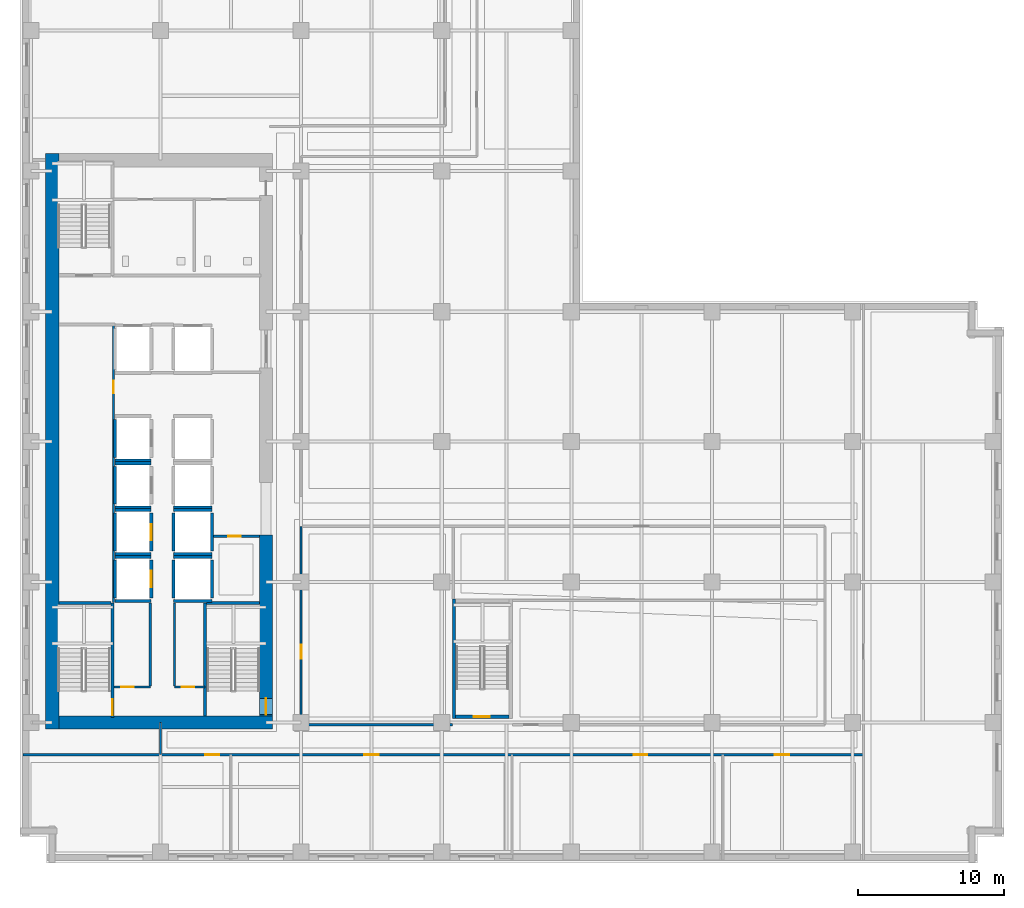
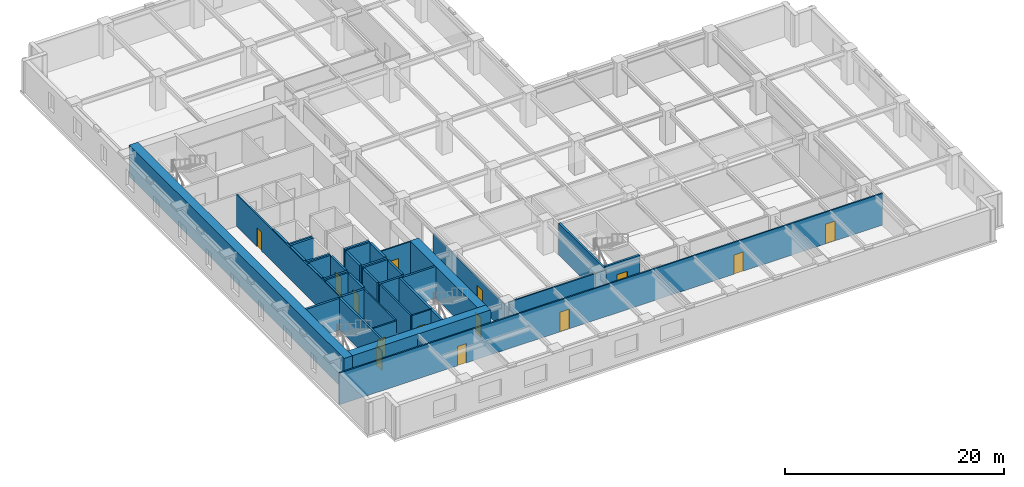
# One storey, part 4 of 13: 41 walls, 14 doors, 14 openings.
"""IFC4 building model written with IfcOpenShell, lengths in metres."""

import ifcopenshell
import ifcopenshell.guid

model = None  # the IFC model being written
_history = None  # IfcOwnerHistory: only IFC2X3 demands one
_inside = {}  # id of a spatial element -> (the spatial element, [elements in it])
_under = {}  # id of a project, library or spatial element -> (it, [spatial elements below it])
_declared = {}  # id of a project -> (the project, [libraries it declares])
_typed = {}  # id of a type object -> (the type object, [elements of that type])
_made_of = {}  # id of a material, layer set ... -> (it, [elements and type objects made of it])


def new_model(schema):
    """Start an empty IFC model of exactly this schema.

    Asked for "IFC4X3", IfcOpenShell would pick the latest addendum, in which some entities
    have other attributes; the version numbers below select the first issue.
    IFC2X3 requires an IfcOwnerHistory on every rooted entity: one is made here for all.
    """
    global model, _history
    if schema == "IFC4X3":
        model = ifcopenshell.file(schema_version=(4, 3, 0, 0))
    else:
        model = ifcopenshell.file(schema=schema)
    _inside.clear()
    _under.clear()
    _declared.clear()
    _typed.clear()
    _made_of.clear()
    _history = None
    if model.schema == "IFC2X3":
        org = make("IfcOrganization", Name="unknown")
        user = make(
            "IfcPersonAndOrganization",
            ThePerson=make("IfcPerson", FamilyName="unknown"),
            TheOrganization=org,
        )
        app = make(
            "IfcApplication",
            ApplicationDeveloper=org,
            Version="unknown",
            ApplicationFullName="unknown",
            ApplicationIdentifier="unknown",
        )
        _history = make(
            "IfcOwnerHistory",
            OwningUser=user,
            OwningApplication=app,
            ChangeAction="ADDED",
            CreationDate=0,
        )
    return model


def make(cls, **values):
    """One entity of the class cls with the attributes given. An attribute that is None is left unset."""
    return model.create_entity(
        cls, **{name: value for name, value in values.items() if value is not None}
    )


def rooted(cls, **values):
    """An entity with a GlobalId (a new one), such as an element, a storey or a relation."""
    return make(cls, GlobalId=ifcopenshell.guid.new(), OwnerHistory=_history, **values)


def si_unit(unit_type, name, prefix=None):
    """IfcSIUnit, for example si_unit("LENGTHUNIT", "METRE", prefix="MILLI")."""
    return make("IfcSIUnit", UnitType=unit_type, Prefix=prefix, Name=name)


def assignment(units):
    """IfcUnitAssignment: the units of a project."""
    return None if units is None else make("IfcUnitAssignment", Units=units)


def point(xyz):
    """IfcCartesianPoint."""
    return None if xyz is None else make("IfcCartesianPoint", Coordinates=xyz)


def direction(xyz):
    """IfcDirection."""
    return None if xyz is None else make("IfcDirection", DirectionRatios=xyz)


def frame(location, z_axis=None, x_axis=None):
    """IfcAxis2Placement3D, a coordinate frame: its origin and axes. An axis left out is left unset."""
    return make(
        "IfcAxis2Placement3D",
        Location=point(location),
        Axis=direction(z_axis),
        RefDirection=direction(x_axis),
    )


def frame_2d(location, x_axis=None):
    """IfcAxis2Placement2D, a coordinate frame in the plane: its origin and x axis."""
    return make(
        "IfcAxis2Placement2D", Location=point(location), RefDirection=direction(x_axis)
    )


def origin():
    """The frame at (0, 0, 0) with its axes left unset."""
    return frame((0.0, 0.0, 0.0))


def place(relative_to, where):
    """IfcLocalPlacement: puts the frame where relative to a parent placement (None: the world)."""
    return make(
        "IfcLocalPlacement", PlacementRelTo=relative_to, RelativePlacement=where
    )


def context(
    kind, dimensions, precision=None, world=None, true_north=None, identifier=None
):
    """IfcGeometricRepresentationContext, for example the 3D "Model" context."""
    return make(
        "IfcGeometricRepresentationContext",
        ContextIdentifier=identifier,
        ContextType=kind,
        CoordinateSpaceDimension=dimensions,
        Precision=precision,
        WorldCoordinateSystem=world,
        TrueNorth=true_north,
    )


def subcontext(parent, identifier, kind, view, scale=None):
    """IfcGeometricRepresentationSubContext, for example "Body" below "Model"."""
    return make(
        "IfcGeometricRepresentationSubContext",
        ContextIdentifier=identifier,
        ContextType=kind,
        ParentContext=parent,
        TargetScale=scale,
        TargetView=view,
    )


def project(units=None, contexts=None):
    """IfcProject with its units and contexts."""
    return rooted(
        "IfcProject",
        Name="project",
        RepresentationContexts=contexts,
        UnitsInContext=assignment(units),
    )


def spatial(cls, under=None, at=None, **own):
    """A site, building, storey or space (cls), placed at a placement, below another one or the project."""
    s = rooted(cls, ObjectPlacement=at, **own)
    if under is not None:
        _under.setdefault(under.id(), (under, []))[1].append(s)
    return s


def profile(cls, at=None, kind="AREA", **sizes):
    """A parametric profile (cls). Its sizes go by their IFC names, for example OverallWidth=200.0."""
    return make(cls, ProfileType=kind, Position=at, **sizes)


def rectangle(**sizes):
    """IfcRectangleProfileDef."""
    return profile("IfcRectangleProfileDef", **sizes)


def extrude(swept, where, along, depth):
    """IfcExtrudedAreaSolid: the profile swept, set in the frame where, extruded along a direction by depth."""
    return make(
        "IfcExtrudedAreaSolid",
        SweptArea=swept,
        Position=where,
        ExtrudedDirection=direction(along),
        Depth=depth,
    )


def shape(context_of_items, identifier, shape_type, items):
    """IfcShapeRepresentation: the items that make up one representation, for example the "Body"."""
    return make(
        "IfcShapeRepresentation",
        ContextOfItems=context_of_items,
        RepresentationIdentifier=identifier,
        RepresentationType=shape_type,
        Items=items,
    )


def material(Name=None, Category=None):
    """IfcMaterial."""
    return make("IfcMaterial", Name=Name, Category=Category)


def layer(
    of_material, thickness, ventilated=None, Name=None, Category=None, Priority=None
):
    """IfcMaterialLayer: one layer of a wall or slab, of a material (None: an air gap)."""
    return make(
        "IfcMaterialLayer",
        Material=of_material,
        LayerThickness=thickness,
        IsVentilated=ventilated,
        Name=Name,
        Category=Category,
        Priority=Priority,
    )


def layer_set(layers, Name=None):
    """IfcMaterialLayerSet."""
    return make("IfcMaterialLayerSet", MaterialLayers=layers, LayerSetName=Name)


def made_of(thing, what):
    """Note that an element or type object is made of a material, layer set ...; save() writes the relation."""
    if what is not None:
        _made_of.setdefault(what.id(), (what, []))[1].append(thing)
    return thing


def type_object(cls, material=None, **own):
    """A type object (cls), such as IfcWallType, which elements share."""
    return made_of(rooted(cls, **own), material)


def element(
    cls,
    number,
    at=None,
    inside=None,
    cuts=None,
    type_object=None,
    material=None,
    context=None,
    identifier="Body",
    shape_type=None,
    held_by="IfcProductDefinitionShape",
    body=None,
    shapes=None,
    **own,
):
    """One element of the class cls, such as IfcWall. Its Tag is "e" and its number.

    at: its placement. inside: the storey or other place that contains it. cuts: it is an
    opening in that element (IfcRelVoidsElement). A single representation is given by context,
    identifier, shape_type and body (its items); several are given by shapes. held_by: the class
    of the entity that holds the representations. save() writes the other relations.
    """
    e = rooted(cls, Tag="e%d" % number, ObjectPlacement=at, **own)
    if body is not None:
        shapes = [shape(context, identifier, shape_type, body)]
    if shapes is not None:
        e.Representation = make(held_by, Representations=shapes)
    if inside is not None:
        _inside.setdefault(inside.id(), (inside, []))[1].append(e)
    if cuts is not None:
        rooted(
            "IfcRelVoidsElement", RelatingBuildingElement=cuts, RelatedOpeningElement=e
        )
    if type_object is not None:
        _typed.setdefault(type_object.id(), (type_object, []))[1].append(e)
    return made_of(e, material)


def fill(opening, filler):
    """IfcRelFillsElement: the door or window that sits in an opening."""
    return rooted(
        "IfcRelFillsElement",
        RelatingOpeningElement=opening,
        RelatedBuildingElement=filler,
    )


def aggregate(whole, parts):
    """IfcRelAggregates: a whole, such as a stair, and the parts it consists of."""
    return rooted("IfcRelAggregates", RelatingObject=whole, RelatedObjects=parts)


def save(model, path):
    """Write the relations noted so far, then the file.

    IfcRelAggregates (storeys below a building ...), IfcRelContainedInSpatialStructure (elements
    in a storey), IfcRelDefinesByType, IfcRelAssociatesMaterial and IfcRelDeclares: one each for
    every whole, place, type object, material and project.
    """
    for whole, parts in _under.values():
        aggregate(whole, parts)
    for where, things in _inside.values():
        rooted(
            "IfcRelContainedInSpatialStructure",
            RelatedElements=things,
            RelatingStructure=where,
        )
    for kind, things in _typed.values():
        rooted("IfcRelDefinesByType", RelatedObjects=things, RelatingType=kind)
    for what, things in _made_of.values():
        rooted("IfcRelAssociatesMaterial", RelatedObjects=things, RelatingMaterial=what)
    for by, libraries in _declared.values():
        rooted("IfcRelDeclares", RelatingContext=by, RelatedDefinitions=libraries)
    model.write(path)


model = new_model("IFC4")

# Units and contexts
model_context = context("Model", 3, precision=1e-05, world=origin(), true_north=direction((0.0, 1.0)))
body_context = subcontext(model_context, "Body", "Model", "MODEL_VIEW")
ifc_project = project(units=[si_unit("LENGTHUNIT", "METRE"), si_unit("AREAUNIT", "SQUARE_METRE"), si_unit("VOLUMEUNIT", "CUBIC_METRE"), si_unit("PLANEANGLEUNIT", "RADIAN"), si_unit("MASSUNIT", "GRAM", prefix="KILO")], contexts=[model_context])

# Site, building, storey
site_placement = place(None, origin())
site = spatial("IfcSite", under=ifc_project, at=site_placement, CompositionType="ELEMENT")
building_placement = place(site_placement, origin())
building = spatial("IfcBuilding", under=site, at=building_placement, Name="Norrvale University Quadrangle", CompositionType="ELEMENT")
storey_placement = place(building_placement, frame((0.0, 0.0, 77.39990234375)))
storey = spatial("IfcBuildingStorey", under=building, at=storey_placement, Name="L19", CompositionType="ELEMENT", Elevation=77.39990234375)

# Walls
ifc_material_1 = material(Name="Concrete C80/95", Category="concrete")
ifc_layer_1 = layer(ifc_material_1, 0.89990234375, Name="Concrete C80/95")
ifc_layer_set_1 = layer_set([ifc_layer_1], Name="Concrete C80/95")
wall_type_1 = type_object("IfcWallType", Name="Wall Core 900", PredefinedType="SHEAR", material=ifc_layer_set_1)
wall_1_placement = place(storey_placement, frame((2.64990234375, 9.60009765625, 0.0), z_axis=(0.0, 0.0, 1.0), x_axis=(1.0, 0.0, 0.0)))
element("IfcWall", 1, at=wall_1_placement, inside=storey, type_object=wall_type_1, Name="Tower Core Shear Wall L19-S", PredefinedType="SHEAR", context=body_context, shape_type="SweptSolid", body=[
    extrude(rectangle(XDim=14.60009765625, YDim=0.89990234375, at=frame_2d((7.300048828125, 0.0))), origin(), (0.0, 0.0, 1.0), 3.5400390625),
])
wall_2_placement = place(storey_placement, frame((2.199951171875, 9.14990234375, 0.0), z_axis=(0.0, 0.0, 1.0), x_axis=(0.0, 1.0, 0.0)))
element("IfcWall", 2, at=wall_2_placement, inside=storey, type_object=wall_type_1, Name="Tower Core Shear Wall L19-W", PredefinedType="SHEAR", context=body_context, shape_type="SweptSolid", body=[
    extrude(rectangle(XDim=39.300048828125, YDim=0.89990234375, at=frame_2d((19.64990234375, 0.0))), origin(), (0.0, 0.0, 1.0), 3.5400390625),
])

# Wall, opening, door
wall_3_placement = place(storey_placement, frame((16.800048828125, 10.050048828125, 0.0), z_axis=(0.0, 0.0, 1.0), x_axis=(0.0, 1.0, 0.0)))
wall_3 = element("IfcWall", 3, at=wall_3_placement, inside=storey, type_object=wall_type_1, Name="Tower Core Shear Wall L19-E1", PredefinedType="SHEAR", context=body_context, shape_type="SweptSolid", body=[
    extrude(rectangle(XDim=12.349853515625, YDim=0.89990234375, at=frame_2d((6.1748046875, 0.0))), origin(), (0.0, 0.0, 1.0), 3.5400390625),
])
opening_1_placement = place(wall_3_placement, frame((0.090087890625, 0.0, 0.0)))
opening_1 = element("IfcOpeningElement", 4, at=opening_1_placement, cuts=wall_3, Name="Opening D02", PredefinedType="OPENING", context=body_context, shape_type="SweptSolid", body=[
    extrude(rectangle(XDim=1.10009765625, YDim=2.199951171875, at=frame_2d((0.550048828125, 1.10009765625))), frame((0.0, 0.4619140625, 0.0), z_axis=(0.0, -1.0, 0.0), x_axis=(1.0, 0.0, 0.0)), (0.0, 0.0, 1.0), 0.923828125),
])
ifc_material_2 = material(Name="Hollow Steel 350W Fire Door", Category="steel")
door_type_1 = type_object("IfcDoorType", Name="Door Stair Exit 1100x2200", OperationType="NOTDEFINED", PredefinedType="DOOR", material=ifc_material_2)
door_1_placement = place(opening_1_placement, origin())
door_1 = element("IfcDoor", 5, at=door_1_placement, inside=storey, type_object=door_type_1, Name="Door Stair Exit 1100x2200 DR-L19-ST03", OperationType="SINGLE_SWING_LEFT", OverallHeight=2.199951171875, OverallWidth=1.10009765625, PredefinedType="DOOR", context=body_context, shape_type="SweptSolid", body=[
    extrude(rectangle(XDim=1.10009765625, YDim=2.199951171875, at=frame_2d((0.550048828125, 1.10009765625))), frame((0.0, 0.02490234375, 0.0), z_axis=(0.0, -1.0, 0.0), x_axis=(1.0, 0.0, 0.0)), (0.0, 0.0, 1.0), 0.050048828125),
])
fill(opening_1, door_1)

ifc_material_3 = material(Name="Fire-Rated Gypsum Stud Partition")
ifc_layer_2 = layer(ifc_material_3, 0.14990234375, Name="Fire-Rated Gypsum Stud Partition")
ifc_layer_set_2 = layer_set([ifc_layer_2], Name="Fire-Rated Gypsum Stud Partition")
wall_type_2 = type_object("IfcWallType", Name="Wall Gypsum Corridor 150", PredefinedType="PARTITIONING", material=ifc_layer_set_2)
wall_4_placement = place(storey_placement, frame((6.419921875, 12.02001953125, 0.0), z_axis=(0.0, 0.0, 1.0), x_axis=(1.0, 0.0, 0.0)))
wall_4 = element("IfcWall", 6, at=wall_4_placement, inside=storey, type_object=wall_type_2, Name="Interior Partition WL-L19-SC-NL", PredefinedType="PARTITIONING", context=body_context, shape_type="SweptSolid", body=[
    extrude(rectangle(XDim=2.47998046875, YDim=0.14990234375, at=frame_2d((1.239990234375, 0.0))), origin(), (0.0, 0.0, 1.0), 3.5400390625),
])
opening_2_placement = place(wall_4_placement, frame((0.5, 0.0, 0.0)))
opening_2 = element("IfcOpeningElement", 7, at=opening_2_placement, cuts=wall_4, Name="Opening D10", PredefinedType="OPENING", context=body_context, shape_type="SweptSolid", body=[
    extrude(rectangle(XDim=0.85009765625, YDim=2.10009765625, at=frame_2d((0.425048828125, 1.050048828125))), frame((0.0, 0.0869140625, 0.0), z_axis=(0.0, -1.0, 0.0), x_axis=(1.0, 0.0, 0.0)), (0.0, 0.0, 1.0), 0.173828125),
])
ifc_material_4 = material(Name="Hollow Steel 350W Riser Fire Door", Category="steel")
door_type_2 = type_object("IfcDoorType", Name="Door Riser 850x2100", OperationType="NOTDEFINED", PredefinedType="DOOR", material=ifc_material_4)
door_2_placement = place(opening_2_placement, origin())
door_2 = element("IfcDoor", 8, at=door_2_placement, inside=storey, type_object=door_type_2, Name="Door Riser 850x2100 DR-L19-ELEC", OperationType="SINGLE_SWING_LEFT", OverallHeight=2.10009765625, OverallWidth=0.85009765625, PredefinedType="DOOR", context=body_context, shape_type="SweptSolid", body=[
    extrude(rectangle(XDim=0.85009765625, YDim=2.10009765625, at=frame_2d((0.425048828125, 1.050048828125))), frame((0.0, 0.02490234375, 0.0), z_axis=(0.0, -1.0, 0.0), x_axis=(1.0, 0.0, 0.0)), (0.0, 0.0, 1.0), 0.050048828125),
])
fill(opening_2, door_2)

wall_5_placement = place(storey_placement, frame((10.550048828125, 12.02001953125, 0.0), z_axis=(0.0, 0.0, 1.0), x_axis=(1.0, 0.0, 0.0)))
wall_5 = element("IfcWall", 9, at=wall_5_placement, inside=storey, type_object=wall_type_2, Name="Interior Partition WL-L19-SC-NR", PredefinedType="PARTITIONING", context=body_context, shape_type="SweptSolid", body=[
    extrude(rectangle(XDim=2.079833984375, YDim=0.14990234375, at=frame_2d((1.0400390625, 0.0))), origin(), (0.0, 0.0, 1.0), 3.5400390625),
])
opening_3_placement = place(wall_5_placement, frame((0.5, 0.0, 0.0)))
opening_3 = element("IfcOpeningElement", 10, at=opening_3_placement, cuts=wall_5, Name="Opening D10", PredefinedType="OPENING", context=body_context, shape_type="SweptSolid", body=[
    extrude(rectangle(XDim=0.85009765625, YDim=2.10009765625, at=frame_2d((0.425048828125, 1.050048828125))), frame((0.0, 0.0869140625, 0.0), z_axis=(0.0, -1.0, 0.0), x_axis=(1.0, 0.0, 0.0)), (0.0, 0.0, 1.0), 0.173828125),
])
door_3_placement = place(opening_3_placement, origin())
door_3 = element("IfcDoor", 11, at=door_3_placement, inside=storey, type_object=door_type_2, Name="Door Riser 850x2100 DR-L19-IDF", OperationType="SINGLE_SWING_RIGHT", OverallHeight=2.10009765625, OverallWidth=0.85009765625, PredefinedType="DOOR", context=body_context, shape_type="SweptSolid", body=[
    extrude(rectangle(XDim=0.85009765625, YDim=2.10009765625, at=frame_2d((0.425048828125, 1.050048828125))), frame((0.0, 0.02490234375, 0.0), z_axis=(0.0, -1.0, 0.0), x_axis=(1.0, 0.0, 0.0)), (0.0, 0.0, 1.0), 0.050048828125),
])
fill(opening_3, door_3)

# Walls
for number, where, z_axis, x_axis, name in (
    (12, (8.89990234375, 12.094970703125, 0.0), (0.0, 0.0, 1.0), (0.0, 1.0, 0.0), "Interior Partition WL-L19-SC-WL"),
    (13, (10.550048828125, 12.094970703125, 0.0), (0.0, 0.0, 1.0), (0.0, 1.0, 0.0), "Interior Partition WL-L19-SC-WR"),
):
    element("IfcWall", number, at=place(storey_placement, frame(where, z_axis=z_axis, x_axis=x_axis)), inside=storey, type_object=wall_type_2, Name=name, PredefinedType="PARTITIONING", context=body_context, shape_type="SweptSolid", body=[
        extrude(rectangle(XDim=5.679931640625, YDim=0.14990234375, at=frame_2d((2.83984375, 0.0))), origin(), (0.0, 0.0, 1.0), 3.5400390625),
    ])

# Wall, opening, door
wall_6_placement = place(storey_placement, frame((13.22509765625, 22.320068359375, 0.0), z_axis=(0.0, 0.0, 1.0), x_axis=(1.0, 0.0, 0.0)))
wall_6 = element("IfcWall", 14, at=wall_6_placement, inside=storey, type_object=wall_type_2, Name="Interior Partition WL-L19-JAN-N", PredefinedType="PARTITIONING", context=body_context, shape_type="SweptSolid", body=[
    extrude(rectangle(XDim=3.119873046875, YDim=0.14990234375, at=frame_2d((1.56005859375, 0.0))), origin(), (0.0, 0.0, 1.0), 3.5400390625),
])
opening_4_placement = place(wall_6_placement, frame((1.0, 0.0, 0.0)))
opening_4 = element("IfcOpeningElement", 15, at=opening_4_placement, cuts=wall_6, Name="Opening D10", PredefinedType="OPENING", context=body_context, shape_type="SweptSolid", body=[
    extrude(rectangle(XDim=0.85009765625, YDim=2.10009765625, at=frame_2d((0.425048828125, 1.050048828125))), frame((0.0, 0.0869140625, 0.0), z_axis=(0.0, -1.0, 0.0), x_axis=(1.0, 0.0, 0.0)), (0.0, 0.0, 1.0), 0.173828125),
])
door_4_placement = place(opening_4_placement, origin())
door_4 = element("IfcDoor", 16, at=door_4_placement, inside=storey, type_object=door_type_2, Name="Door Riser 850x2100 DR-L19-JAN", OperationType="SINGLE_SWING_LEFT", OverallHeight=2.10009765625, OverallWidth=0.85009765625, PredefinedType="DOOR", context=body_context, shape_type="SweptSolid", body=[
    extrude(rectangle(XDim=0.85009765625, YDim=2.10009765625, at=frame_2d((0.425048828125, 1.050048828125))), frame((0.0, 0.02490234375, 0.0), z_axis=(0.0, -1.0, 0.0), x_axis=(1.0, 0.0, 0.0)), (0.0, 0.0, 1.0), 0.050048828125),
])
fill(opening_4, door_4)

wall_7_placement = place(storey_placement, frame((6.3798828125, 17.800048828125, 0.0), z_axis=(0.0, 0.0, 1.0), x_axis=(0.0, 1.0, 0.0)))
wall_7 = element("IfcWall", 17, at=wall_7_placement, inside=storey, type_object=wall_type_2, Name="Interior Partition WL-L19-WME-E", PredefinedType="PARTITIONING", context=body_context, shape_type="SweptSolid", body=[
    extrude(rectangle(XDim=18.97998046875, YDim=0.14990234375, at=frame_2d((9.489990234375, 0.0))), origin(), (0.0, 0.0, 1.0), 3.5400390625),
])
opening_5_placement = place(wall_7_placement, frame((14.300048828125, 0.0, 0.0)))
opening_5 = element("IfcOpeningElement", 18, at=opening_5_placement, cuts=wall_7, Name="Opening D10", PredefinedType="OPENING", context=body_context, shape_type="SweptSolid", body=[
    extrude(rectangle(XDim=0.85009765625, YDim=2.10009765625, at=frame_2d((0.425048828125, 1.050048828125))), frame((0.0, 0.0869140625, 0.0), z_axis=(0.0, -1.0, 0.0), x_axis=(1.0, 0.0, 0.0)), (0.0, 0.0, 1.0), 0.173828125),
])
door_5_placement = place(opening_5_placement, origin())
door_5 = element("IfcDoor", 19, at=door_5_placement, inside=storey, type_object=door_type_2, Name="Door Riser 850x2100 DR-L19-WME", OperationType="SINGLE_SWING_LEFT", OverallHeight=2.10009765625, OverallWidth=0.85009765625, PredefinedType="DOOR", context=body_context, shape_type="SweptSolid", body=[
    extrude(rectangle(XDim=0.85009765625, YDim=2.10009765625, at=frame_2d((0.425048828125, 1.050048828125))), frame((0.0, 0.02490234375, 0.0), z_axis=(0.0, -1.0, 0.0), x_axis=(1.0, 0.0, 0.0)), (0.0, 0.0, 1.0), 0.050048828125),
])
fill(opening_5, door_5)

# Wall
wall_8_placement = place(storey_placement, frame((9.60009765625, 7.39990234375, 0.0), z_axis=(0.0, 0.0, 1.0), x_axis=(0.0, 1.0, 0.0)))
element("IfcWall", 20, at=wall_8_placement, inside=storey, type_object=wall_type_2, Name="Interior Partition WL-L19-CSW-END", PredefinedType="PARTITIONING", context=body_context, shape_type="SweptSolid", body=[
    extrude(rectangle(XDim=2.2001953125, YDim=0.14990234375, at=frame_2d((1.10009765625, 0.0))), origin(), (0.0, 0.0, 1.0), 2.99609375),
])

# Wall, openings, doors
wall_9_placement = place(storey_placement, frame((0.219970703125, 7.39990234375, 0.0), z_axis=(0.0, 0.0, 1.0), x_axis=(1.0, 0.0, 0.0)))
wall_9 = element("IfcWall", 21, at=wall_9_placement, inside=storey, type_object=wall_type_2, Name="Interior Partition WL-L19-SCW", PredefinedType="PARTITIONING", context=body_context, shape_type="SweptSolid", body=[
    extrude(rectangle(XDim=57.380126953125, YDim=0.14990234375, at=frame_2d((28.68994140625, 0.0))), origin(), (0.0, 0.0, 1.0), 3.5400390625),
])
opening_6_placement = place(wall_9_placement, frame((12.429931640625, 0.0, 0.0)))
opening_6 = element("IfcOpeningElement", 22, at=opening_6_placement, cuts=wall_9, Name="Opening D07", PredefinedType="OPENING", context=body_context, shape_type="SweptSolid", body=[
    extrude(rectangle(XDim=0.949951171875, YDim=2.14990234375, at=frame_2d((0.47509765625, 1.074951171875))), frame((0.0, 0.0869140625, 0.0), z_axis=(0.0, -1.0, 0.0), x_axis=(1.0, 0.0, 0.0)), (0.0, 0.0, 1.0), 0.173828125),
])
opening_7_placement = place(wall_9_placement, frame((23.280029296875, 0.0, 0.0)))
opening_7 = element("IfcOpeningElement", 23, at=opening_7_placement, cuts=wall_9, Name="Opening D04", PredefinedType="OPENING", context=body_context, shape_type="SweptSolid", body=[
    extrude(rectangle(XDim=1.0, YDim=2.199951171875, at=frame_2d((0.5, 1.10009765625))), frame((0.0, 0.0869140625, 0.0), z_axis=(0.0, -1.0, 0.0), x_axis=(1.0, 0.0, 0.0)), (0.0, 0.0, 1.0), 0.173828125),
])
opening_8_placement = place(wall_9_placement, frame((41.679931640625, 0.0, 0.0)))
opening_8 = element("IfcOpeningElement", 24, at=opening_8_placement, cuts=wall_9, Name="Opening D07", PredefinedType="OPENING", context=body_context, shape_type="SweptSolid", body=[
    extrude(rectangle(XDim=0.949951171875, YDim=2.14990234375, at=frame_2d((0.47509765625, 1.074951171875))), frame((0.0, 0.0869140625, 0.0), z_axis=(0.0, -1.0, 0.0), x_axis=(1.0, 0.0, 0.0)), (0.0, 0.0, 1.0), 0.173828125),
])
opening_9_placement = place(wall_9_placement, frame((51.330078125, 0.0, 0.0)))
opening_9 = element("IfcOpeningElement", 25, at=opening_9_placement, cuts=wall_9, Name="Opening D04", PredefinedType="OPENING", context=body_context, shape_type="SweptSolid", body=[
    extrude(rectangle(XDim=1.0, YDim=2.199951171875, at=frame_2d((0.5, 1.10009765625))), frame((0.0, 0.0869140625, 0.0), z_axis=(0.0, -1.0, 0.0), x_axis=(1.0, 0.0, 0.0)), (0.0, 0.0, 1.0), 0.173828125),
])
ifc_material_5 = material(Name="Solid-Core Oak Fire Door", Category="wood")
door_type_3 = type_object("IfcDoorType", Name="Door Corridor 1000x2200", OperationType="NOTDEFINED", PredefinedType="DOOR", material=ifc_material_5)
door_6_placement = place(opening_7_placement, origin())
door_6 = element("IfcDoor", 26, at=door_6_placement, inside=storey, type_object=door_type_3, Name="Door Corridor 1000x2200 DR-L19-S02", OperationType="SINGLE_SWING_RIGHT", OverallHeight=2.199951171875, OverallWidth=1.0, PredefinedType="DOOR", context=body_context, shape_type="SweptSolid", body=[
    extrude(rectangle(XDim=1.0, YDim=2.199951171875, at=frame_2d((0.5, 1.10009765625))), frame((0.0, 0.02490234375, 0.0), z_axis=(0.0, -1.0, 0.0), x_axis=(1.0, 0.0, 0.0)), (0.0, 0.0, 1.0), 0.050048828125),
])
fill(opening_7, door_6)
door_7_placement = place(opening_9_placement, origin())
door_7 = element("IfcDoor", 27, at=door_7_placement, inside=storey, type_object=door_type_3, Name="Door Corridor 1000x2200 DR-L19-S04", OperationType="SINGLE_SWING_RIGHT", OverallHeight=2.199951171875, OverallWidth=1.0, PredefinedType="DOOR", context=body_context, shape_type="SweptSolid", body=[
    extrude(rectangle(XDim=1.0, YDim=2.199951171875, at=frame_2d((0.5, 1.10009765625))), frame((0.0, 0.02490234375, 0.0), z_axis=(0.0, -1.0, 0.0), x_axis=(1.0, 0.0, 0.0)), (0.0, 0.0, 1.0), 0.050048828125),
])
fill(opening_9, door_7)
ifc_material_6 = material(Name="Solid-Core Maple Door", Category="wood")
door_type_4 = type_object("IfcDoorType", Name="Door Office 950x2150", OperationType="NOTDEFINED", PredefinedType="DOOR", material=ifc_material_6)
door_8_placement = place(opening_6_placement, origin())
door_8 = element("IfcDoor", 28, at=door_8_placement, inside=storey, type_object=door_type_4, Name="Door Office 950x2150 DR-L19-S01", OperationType="SINGLE_SWING_LEFT", OverallHeight=2.14990234375, OverallWidth=0.949951171875, PredefinedType="DOOR", context=body_context, shape_type="SweptSolid", body=[
    extrude(rectangle(XDim=0.949951171875, YDim=2.14990234375, at=frame_2d((0.47509765625, 1.074951171875))), frame((0.0, 0.02490234375, 0.0), z_axis=(0.0, -1.0, 0.0), x_axis=(1.0, 0.0, 0.0)), (0.0, 0.0, 1.0), 0.050048828125),
])
fill(opening_6, door_8)
door_9_placement = place(opening_8_placement, origin())
door_9 = element("IfcDoor", 29, at=door_9_placement, inside=storey, type_object=door_type_4, Name="Door Office 950x2150 DR-L19-S03", OperationType="SINGLE_SWING_LEFT", OverallHeight=2.14990234375, OverallWidth=0.949951171875, PredefinedType="DOOR", context=body_context, shape_type="SweptSolid", body=[
    extrude(rectangle(XDim=0.949951171875, YDim=2.14990234375, at=frame_2d((0.47509765625, 1.074951171875))), frame((0.0, 0.02490234375, 0.0), z_axis=(0.0, -1.0, 0.0), x_axis=(1.0, 0.0, 0.0)), (0.0, 0.0, 1.0), 0.050048828125),
])
fill(opening_8, door_9)

# Wall, opening, door
wall_10_placement = place(storey_placement, frame((19.199951171875, 9.449951171875, 0.0), z_axis=(0.0, 0.0, 1.0), x_axis=(0.0, 1.0, 0.0)))
wall_10 = element("IfcWall", 30, at=wall_10_placement, inside=storey, type_object=wall_type_2, Name="Interior Partition WL-L19-ISLW", PredefinedType="PARTITIONING", context=body_context, shape_type="SweptSolid", body=[
    extrude(rectangle(XDim=13.550048828125, YDim=0.14990234375, at=frame_2d((6.77490234375, 0.0))), origin(), (0.0, 0.0, 1.0), 2.99609375),
])
opening_10_placement = place(wall_10_placement, frame((4.5, 0.0, 0.0)))
opening_10 = element("IfcOpeningElement", 31, at=opening_10_placement, cuts=wall_10, Name="Opening D07", PredefinedType="OPENING", context=body_context, shape_type="SweptSolid", body=[
    extrude(rectangle(XDim=0.949951171875, YDim=2.14990234375, at=frame_2d((0.47509765625, 1.074951171875))), frame((0.0, 0.0869140625, 0.0), z_axis=(0.0, -1.0, 0.0), x_axis=(1.0, 0.0, 0.0)), (0.0, 0.0, 1.0), 0.173828125),
])
door_10_placement = place(opening_10_placement, origin())
door_10 = element("IfcDoor", 32, at=door_10_placement, inside=storey, type_object=door_type_4, Name="Door Office 950x2150 DR-L19-IW1", OperationType="SINGLE_SWING_LEFT", OverallHeight=2.14990234375, OverallWidth=0.949951171875, PredefinedType="DOOR", context=body_context, shape_type="SweptSolid", body=[
    extrude(rectangle(XDim=0.949951171875, YDim=2.14990234375, at=frame_2d((0.47509765625, 1.074951171875))), frame((0.0, 0.02490234375, 0.0), z_axis=(0.0, -1.0, 0.0), x_axis=(1.0, 0.0, 0.0)), (0.0, 0.0, 1.0), 0.050048828125),
])
fill(opening_10, door_10)

# Wall
wall_11_placement = place(storey_placement, frame((19.280029296875, 9.449951171875, 0.0), z_axis=(0.0, 0.0, 1.0), x_axis=(1.0, 0.0, 0.0)))
element("IfcWall", 33, at=wall_11_placement, inside=storey, type_object=wall_type_2, Name="Interior Partition WL-L19-ISLS1", PredefinedType="PARTITIONING", context=body_context, shape_type="SweptSolid", body=[
    extrude(rectangle(XDim=10.244873046875, YDim=0.14990234375, at=frame_2d((5.12255859375, 0.0))), origin(), (0.0, 0.0, 1.0), 3.5400390625),
])

# Wall, opening, door
ifc_material_7 = material(Name="Concrete Blockwork 20 MPa Fire Shaft", Category="masonry")
ifc_layer_3 = layer(ifc_material_7, 0.219970703125, Name="Concrete Blockwork 20 MPa Fire Shaft")
ifc_layer_set_3 = layer_set([ifc_layer_3], Name="Concrete Blockwork 20 MPa Fire Shaft")
wall_type_3 = type_object("IfcWallType", Name="Wall Shaft 220", PredefinedType="SOLIDWALL", material=ifc_layer_set_3)
wall_12_placement = place(storey_placement, frame((6.31005859375, 9.949951171875, 0.0), z_axis=(0.0, 0.0, 1.0), x_axis=(0.0, 1.0, 0.0)))
wall_12 = element("IfcWall", 34, at=wall_12_placement, inside=storey, type_object=wall_type_3, Name="Stair ST-01 East Shaft Wall L19", PredefinedType="SOLIDWALL", context=body_context, shape_type="SweptSolid", body=[
    extrude(rectangle(XDim=7.81005859375, YDim=0.219970703125, at=frame_2d((3.905029296875, 0.0))), origin(), (0.0, 0.0, 1.0), 3.5400390625),
])
opening_11_placement = place(wall_12_placement, frame((0.139892578125, 0.0, 0.0)))
opening_11 = element("IfcOpeningElement", 35, at=opening_11_placement, cuts=wall_12, Name="Opening D02", PredefinedType="OPENING", context=body_context, shape_type="SweptSolid", body=[
    extrude(rectangle(XDim=1.10009765625, YDim=2.199951171875, at=frame_2d((0.550048828125, 1.10009765625))), frame((0.0, 0.1220703125, 0.0), z_axis=(0.0, -1.0, 0.0), x_axis=(1.0, 0.0, 0.0)), (0.0, 0.0, 1.0), 0.243896484375),
])
door_11_placement = place(opening_11_placement, origin())
door_11 = element("IfcDoor", 36, at=door_11_placement, inside=storey, type_object=door_type_1, Name="Door Stair Exit 1100x2200 DR-L19-ST01", OperationType="SINGLE_SWING_LEFT", OverallHeight=2.199951171875, OverallWidth=1.10009765625, PredefinedType="DOOR", context=body_context, shape_type="SweptSolid", body=[
    extrude(rectangle(XDim=1.10009765625, YDim=2.199951171875, at=frame_2d((0.550048828125, 1.10009765625))), frame((0.0, 0.02490234375, 0.0), z_axis=(0.0, -1.0, 0.0), x_axis=(1.0, 0.0, 0.0)), (0.0, 0.0, 1.0), 0.050048828125),
])
fill(opening_11, door_11)

# Walls
wall_13_placement = place(storey_placement, frame((2.64990234375, 17.760009765625, 0.0), z_axis=(0.0, 0.0, 1.0), x_axis=(1.0, 0.0, 0.0)))
element("IfcWall", 37, at=wall_13_placement, inside=storey, type_object=wall_type_3, Name="Stair ST-01 North Shaft Wall L19", PredefinedType="SOLIDWALL", context=body_context, shape_type="SweptSolid", body=[
    extrude(rectangle(XDim=3.550048828125, YDim=0.219970703125, at=frame_2d((1.77490234375, 0.0))), origin(), (0.0, 0.0, 1.0), 3.5400390625),
])
wall_14_placement = place(storey_placement, frame((12.639892578125, 10.050048828125, 0.0), z_axis=(0.0, 0.0, 1.0), x_axis=(0.0, 1.0, 0.0)))
element("IfcWall", 38, at=wall_14_placement, inside=storey, type_object=wall_type_3, Name="Stair ST-03 West Shaft Wall L19", PredefinedType="SOLIDWALL", context=body_context, shape_type="SweptSolid", body=[
    extrude(rectangle(XDim=7.7099609375, YDim=0.219970703125, at=frame_2d((3.85498046875, 0.0))), origin(), (0.0, 0.0, 1.0), 3.5400390625),
])
wall_15_placement = place(storey_placement, frame((12.75, 17.760009765625, 0.0), z_axis=(0.0, 0.0, 1.0), x_axis=(1.0, 0.0, 0.0)))
element("IfcWall", 39, at=wall_15_placement, inside=storey, type_object=wall_type_3, Name="Stair ST-03 North Shaft Wall L19", PredefinedType="SOLIDWALL", context=body_context, shape_type="SweptSolid", body=[
    extrude(rectangle(XDim=3.60009765625, YDim=0.219970703125, at=frame_2d((1.800048828125, 0.0))), origin(), (0.0, 0.0, 1.0), 3.5400390625),
])

# Wall, opening, door
wall_16_placement = place(storey_placement, frame((29.75, 9.989990234375, 0.0), z_axis=(0.0, 0.0, 1.0), x_axis=(1.0, 0.0, 0.0)))
wall_16 = element("IfcWall", 40, at=wall_16_placement, inside=storey, type_object=wall_type_3, Name="Stair ST-04 South Shaft Wall L19", PredefinedType="SOLIDWALL", context=body_context, shape_type="SweptSolid", body=[
    extrude(rectangle(XDim=3.64990234375, YDim=0.219970703125, at=frame_2d((1.824951171875, 0.0))), origin(), (0.0, 0.0, 1.0), 3.5400390625),
])
opening_12_placement = place(wall_16_placement, frame((1.239990234375, 0.0, 0.0)))
opening_12 = element("IfcOpeningElement", 41, at=opening_12_placement, cuts=wall_16, Name="Opening D02", PredefinedType="OPENING", context=body_context, shape_type="SweptSolid", body=[
    extrude(rectangle(XDim=1.10009765625, YDim=2.199951171875, at=frame_2d((0.550048828125, 1.10009765625))), frame((0.0, 0.1220703125, 0.0), z_axis=(0.0, -1.0, 0.0), x_axis=(1.0, 0.0, 0.0)), (0.0, 0.0, 1.0), 0.243896484375),
])
door_12_placement = place(opening_12_placement, origin())
door_12 = element("IfcDoor", 42, at=door_12_placement, inside=storey, type_object=door_type_1, Name="Door Stair Exit 1100x2200 DR-L19-ST04", OperationType="SINGLE_SWING_LEFT", OverallHeight=2.199951171875, OverallWidth=1.10009765625, PredefinedType="DOOR", context=body_context, shape_type="SweptSolid", body=[
    extrude(rectangle(XDim=1.10009765625, YDim=2.199951171875, at=frame_2d((0.550048828125, 1.10009765625))), frame((0.0, 0.02490234375, 0.0), z_axis=(0.0, -1.0, 0.0), x_axis=(1.0, 0.0, 0.0)), (0.0, 0.0, 1.0), 0.050048828125),
])
fill(opening_12, door_12)

# Walls
wall_17_placement = place(storey_placement, frame((29.639892578125, 9.8798828125, 0.0), z_axis=(0.0, 0.0, 1.0), x_axis=(0.0, 1.0, 0.0)))
element("IfcWall", 43, at=wall_17_placement, inside=storey, type_object=wall_type_3, Name="Stair ST-04 West Shaft Wall L19", PredefinedType="SOLIDWALL", context=body_context, shape_type="SweptSolid", body=[
    extrude(rectangle(XDim=8.14013671875, YDim=0.219970703125, at=frame_2d((4.070068359375, 0.0))), origin(), (0.0, 0.0, 1.0), 3.5400390625),
])
wall_18_placement = place(storey_placement, frame((6.489990234375, 18.110107421875, 0.0), z_axis=(0.0, 0.0, 1.0), x_axis=(0.0, 1.0, 0.0)))
element("IfcWall", 44, at=wall_18_placement, inside=storey, type_object=wall_type_3, Name="Hoistway PL-01 West Wall L19", PredefinedType="SOLIDWALL", context=body_context, shape_type="SweptSolid", body=[
    extrude(rectangle(XDim=2.579833984375, YDim=0.219970703125, at=frame_2d((1.2900390625, 0.0))), origin(), (0.0, 0.0, 1.0), 3.5400390625),
])

# Wall, opening, door
wall_19_placement = place(storey_placement, frame((8.9599609375, 18.110107421875, 0.0), z_axis=(0.0, 0.0, 1.0), x_axis=(0.0, 1.0, 0.0)))
wall_19 = element("IfcWall", 45, at=wall_19_placement, inside=storey, type_object=wall_type_3, Name="Hoistway PL-01 East Wall L19", PredefinedType="SOLIDWALL", context=body_context, shape_type="SweptSolid", body=[
    extrude(rectangle(XDim=2.579833984375, YDim=0.219970703125, at=frame_2d((1.2900390625, 0.0))), origin(), (0.0, 0.0, 1.0), 3.5400390625),
])
opening_13_placement = place(wall_19_placement, frame((0.739990234375, 0.0, 0.0)))
opening_13 = element("IfcOpeningElement", 46, at=opening_13_placement, cuts=wall_19, Name="Opening LD1", PredefinedType="OPENING", context=body_context, shape_type="SweptSolid", body=[
    extrude(rectangle(XDim=1.10009765625, YDim=2.199951171875, at=frame_2d((0.550048828125, 1.10009765625))), frame((0.0, 0.1220703125, 0.0), z_axis=(0.0, -1.0, 0.0), x_axis=(1.0, 0.0, 0.0)), (0.0, 0.0, 1.0), 0.243896484375),
])
ifc_material_8 = material(Name="Stainless Steel 316L Lift Landing Door", Category="steel")
door_type_5 = type_object("IfcDoorType", Name="Door Lift Landing 1100x2200", OperationType="DOUBLE_DOOR_SLIDING", PredefinedType="DOOR", material=ifc_material_8)
door_13_placement = place(opening_13_placement, origin())
door_13 = element("IfcDoor", 47, at=door_13_placement, inside=storey, type_object=door_type_5, Name="Elevator Landing Door DR-L19-PL-01", OperationType="DOUBLE_DOOR_SLIDING", OverallHeight=2.199951171875, OverallWidth=1.10009765625, PredefinedType="DOOR", context=body_context, shape_type="SweptSolid", body=[
    extrude(rectangle(XDim=1.10009765625, YDim=2.199951171875, at=frame_2d((0.550048828125, 1.10009765625))), frame((0.0, 0.02490234375, 0.0), z_axis=(0.0, -1.0, 0.0), x_axis=(1.0, 0.0, 0.0)), (0.0, 0.0, 1.0), 0.050048828125),
])
fill(opening_13, door_13)

# Walls
for number, where, z_axis, x_axis, name in (
    (48, (6.489990234375, 17.889892578125, 0.0), (0.0, 0.0, 1.0), (1.0, 0.0, 0.0), "Hoistway PL-01 South Wall L19"),
    (49, (6.489990234375, 20.909912109375, 0.0), (0.0, 0.0, 1.0), (1.0, 0.0, 0.0), "Hoistway PL-01 North Wall L19"),
):
    element("IfcWall", number, at=place(storey_placement, frame(where, z_axis=z_axis, x_axis=x_axis)), inside=storey, type_object=wall_type_3, Name=name, PredefinedType="SOLIDWALL", context=body_context, shape_type="SweptSolid", body=[
        extrude(rectangle(XDim=2.469970703125, YDim=0.219970703125, at=frame_2d((1.23486328125, 0.0))), origin(), (0.0, 0.0, 1.0), 3.5400390625),
    ])
wall_20_placement = place(storey_placement, frame((6.489990234375, 21.31005859375, 0.0), z_axis=(0.0, 0.0, 1.0), x_axis=(0.0, 1.0, 0.0)))
element("IfcWall", 50, at=wall_20_placement, inside=storey, type_object=wall_type_3, Name="Hoistway PL-02 West Wall L19", PredefinedType="SOLIDWALL", context=body_context, shape_type="SweptSolid", body=[
    extrude(rectangle(XDim=2.579833984375, YDim=0.219970703125, at=frame_2d((1.2900390625, 0.0))), origin(), (0.0, 0.0, 1.0), 3.5400390625),
])

# Wall, opening, door
wall_21_placement = place(storey_placement, frame((8.9599609375, 21.31005859375, 0.0), z_axis=(0.0, 0.0, 1.0), x_axis=(0.0, 1.0, 0.0)))
wall_21 = element("IfcWall", 51, at=wall_21_placement, inside=storey, type_object=wall_type_3, Name="Hoistway PL-02 East Wall L19", PredefinedType="SOLIDWALL", context=body_context, shape_type="SweptSolid", body=[
    extrude(rectangle(XDim=2.579833984375, YDim=0.219970703125, at=frame_2d((1.2900390625, 0.0))), origin(), (0.0, 0.0, 1.0), 3.5400390625),
])
opening_14_placement = place(wall_21_placement, frame((0.739990234375, 0.0, 0.0)))
opening_14 = element("IfcOpeningElement", 52, at=opening_14_placement, cuts=wall_21, Name="Opening LD1", PredefinedType="OPENING", context=body_context, shape_type="SweptSolid", body=[
    extrude(rectangle(XDim=1.10009765625, YDim=2.199951171875, at=frame_2d((0.550048828125, 1.10009765625))), frame((0.0, 0.1220703125, 0.0), z_axis=(0.0, -1.0, 0.0), x_axis=(1.0, 0.0, 0.0)), (0.0, 0.0, 1.0), 0.243896484375),
])
door_14_placement = place(opening_14_placement, origin())
door_14 = element("IfcDoor", 53, at=door_14_placement, inside=storey, type_object=door_type_5, Name="Elevator Landing Door DR-L19-PL-02", OperationType="DOUBLE_DOOR_SLIDING", OverallHeight=2.199951171875, OverallWidth=1.10009765625, PredefinedType="DOOR", context=body_context, shape_type="SweptSolid", body=[
    extrude(rectangle(XDim=1.10009765625, YDim=2.199951171875, at=frame_2d((0.550048828125, 1.10009765625))), frame((0.0, 0.02490234375, 0.0), z_axis=(0.0, -1.0, 0.0), x_axis=(1.0, 0.0, 0.0)), (0.0, 0.0, 1.0), 0.050048828125),
])
fill(opening_14, door_14)

# Walls
for number, where, z_axis, x_axis, name in (
    (54, (6.489990234375, 21.090087890625, 0.0), (0.0, 0.0, 1.0), (1.0, 0.0, 0.0), "Hoistway PL-02 South Wall L19"),
    (55, (6.489990234375, 24.110107421875, 0.0), (0.0, 0.0, 1.0), (1.0, 0.0, 0.0), "Hoistway PL-02 North Wall L19"),
):
    element("IfcWall", number, at=place(storey_placement, frame(where, z_axis=z_axis, x_axis=x_axis)), inside=storey, type_object=wall_type_3, Name=name, PredefinedType="SOLIDWALL", context=body_context, shape_type="SweptSolid", body=[
        extrude(rectangle(XDim=2.469970703125, YDim=0.219970703125, at=frame_2d((1.23486328125, 0.0))), origin(), (0.0, 0.0, 1.0), 3.5400390625),
    ])
wall_22_placement = place(storey_placement, frame((6.489990234375, 24.510009765625, 0.0), z_axis=(0.0, 0.0, 1.0), x_axis=(0.0, 1.0, 0.0)))
element("IfcWall", 56, at=wall_22_placement, inside=storey, type_object=wall_type_3, Name="Hoistway PL-03 West Wall L19", PredefinedType="SOLIDWALL", context=body_context, shape_type="SweptSolid", body=[
    extrude(rectangle(XDim=2.580078125, YDim=0.219970703125, at=frame_2d((1.2900390625, 0.0))), origin(), (0.0, 0.0, 1.0), 3.5400390625),
])
for number, where, z_axis, x_axis, name in (
    (57, (6.489990234375, 24.2900390625, 0.0), (0.0, 0.0, 1.0), (1.0, 0.0, 0.0), "Hoistway PL-03 South Wall L19"),
    (58, (6.489990234375, 27.31005859375, 0.0), (0.0, 0.0, 1.0), (1.0, 0.0, 0.0), "Hoistway PL-03 North Wall L19"),
):
    element("IfcWall", number, at=place(storey_placement, frame(where, z_axis=z_axis, x_axis=x_axis)), inside=storey, type_object=wall_type_3, Name=name, PredefinedType="SOLIDWALL", context=body_context, shape_type="SweptSolid", body=[
        extrude(rectangle(XDim=2.469970703125, YDim=0.219970703125, at=frame_2d((1.23486328125, 0.0))), origin(), (0.0, 0.0, 1.0), 3.5400390625),
    ])
wall_23_placement = place(storey_placement, frame((6.489990234375, 27.7099609375, 0.0), z_axis=(0.0, 0.0, 1.0), x_axis=(0.0, 1.0, 0.0)))
element("IfcWall", 59, at=wall_23_placement, inside=storey, type_object=wall_type_3, Name="Hoistway PL-04 West Wall L19", PredefinedType="SOLIDWALL", context=body_context, shape_type="SweptSolid", body=[
    extrude(rectangle(XDim=2.580078125, YDim=0.219970703125, at=frame_2d((1.2900390625, 0.0))), origin(), (0.0, 0.0, 1.0), 3.5400390625),
])
wall_24_placement = place(storey_placement, frame((6.489990234375, 27.489990234375, 0.0), z_axis=(0.0, 0.0, 1.0), x_axis=(1.0, 0.0, 0.0)))
element("IfcWall", 60, at=wall_24_placement, inside=storey, type_object=wall_type_3, Name="Hoistway PL-04 South Wall L19", PredefinedType="SOLIDWALL", context=body_context, shape_type="SweptSolid", body=[
    extrude(rectangle(XDim=2.469970703125, YDim=0.219970703125, at=frame_2d((1.23486328125, 0.0))), origin(), (0.0, 0.0, 1.0), 3.5400390625),
])
for number, where, z_axis, x_axis, name in (
    (61, (10.489990234375, 18.110107421875, 0.0), (0.0, 0.0, 1.0), (0.0, 1.0, 0.0), "Hoistway PL-05 West Wall L19"),
    (62, (13.110107421875, 18.110107421875, 0.0), (0.0, 0.0, 1.0), (0.0, 1.0, 0.0), "Hoistway PL-05 East Wall L19"),
):
    element("IfcWall", number, at=place(storey_placement, frame(where, z_axis=z_axis, x_axis=x_axis)), inside=storey, type_object=wall_type_3, Name=name, PredefinedType="SOLIDWALL", context=body_context, shape_type="SweptSolid", body=[
        extrude(rectangle(XDim=2.579833984375, YDim=0.219970703125, at=frame_2d((1.2900390625, 0.0))), origin(), (0.0, 0.0, 1.0), 3.5400390625),
    ])
for number, where, z_axis, x_axis, name in (
    (63, (10.489990234375, 17.889892578125, 0.0), (0.0, 0.0, 1.0), (1.0, 0.0, 0.0), "Hoistway PL-05 South Wall L19"),
    (64, (10.489990234375, 20.909912109375, 0.0), (0.0, 0.0, 1.0), (1.0, 0.0, 0.0), "Hoistway PL-05 North Wall L19"),
):
    element("IfcWall", number, at=place(storey_placement, frame(where, z_axis=z_axis, x_axis=x_axis)), inside=storey, type_object=wall_type_3, Name=name, PredefinedType="SOLIDWALL", context=body_context, shape_type="SweptSolid", body=[
        extrude(rectangle(XDim=2.6201171875, YDim=0.219970703125, at=frame_2d((1.31005859375, 0.0))), origin(), (0.0, 0.0, 1.0), 3.5400390625),
    ])
for number, where, z_axis, x_axis, name in (
    (65, (10.489990234375, 21.31005859375, 0.0), (0.0, 0.0, 1.0), (0.0, 1.0, 0.0), "Hoistway PL-06 West Wall L19"),
    (66, (13.110107421875, 21.31005859375, 0.0), (0.0, 0.0, 1.0), (0.0, 1.0, 0.0), "Hoistway PL-06 East Wall L19"),
):
    element("IfcWall", number, at=place(storey_placement, frame(where, z_axis=z_axis, x_axis=x_axis)), inside=storey, type_object=wall_type_3, Name=name, PredefinedType="SOLIDWALL", context=body_context, shape_type="SweptSolid", body=[
        extrude(rectangle(XDim=2.579833984375, YDim=0.219970703125, at=frame_2d((1.2900390625, 0.0))), origin(), (0.0, 0.0, 1.0), 3.5400390625),
    ])
for number, where, z_axis, x_axis, name in (
    (67, (10.489990234375, 21.090087890625, 0.0), (0.0, 0.0, 1.0), (1.0, 0.0, 0.0), "Hoistway PL-06 South Wall L19"),
    (68, (10.489990234375, 24.110107421875, 0.0), (0.0, 0.0, 1.0), (1.0, 0.0, 0.0), "Hoistway PL-06 North Wall L19"),
    (69, (10.489990234375, 24.2900390625, 0.0), (0.0, 0.0, 1.0), (1.0, 0.0, 0.0), "Hoistway PL-07 South Wall L19"),
):
    element("IfcWall", number, at=place(storey_placement, frame(where, z_axis=z_axis, x_axis=x_axis)), inside=storey, type_object=wall_type_3, Name=name, PredefinedType="SOLIDWALL", context=body_context, shape_type="SweptSolid", body=[
        extrude(rectangle(XDim=2.6201171875, YDim=0.219970703125, at=frame_2d((1.31005859375, 0.0))), origin(), (0.0, 0.0, 1.0), 3.5400390625),
    ])

save(model, "model.ifc")
